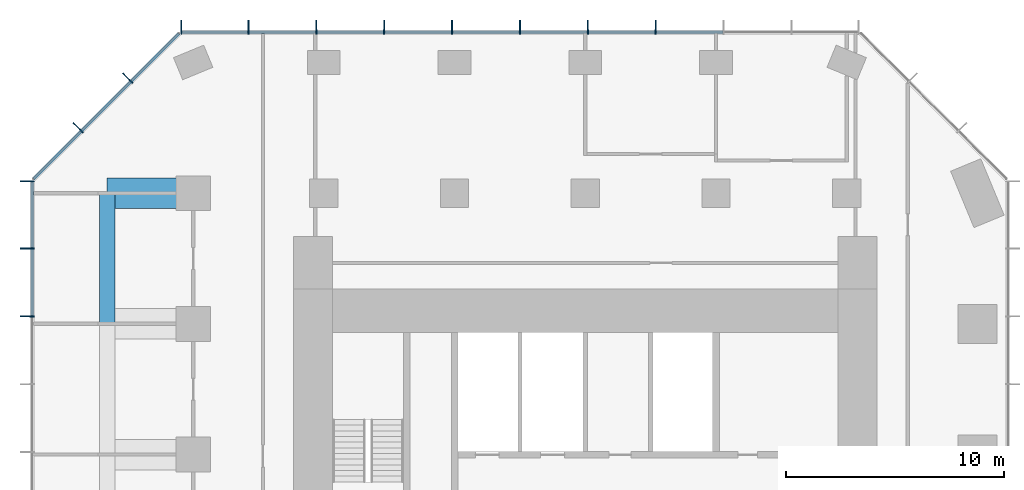
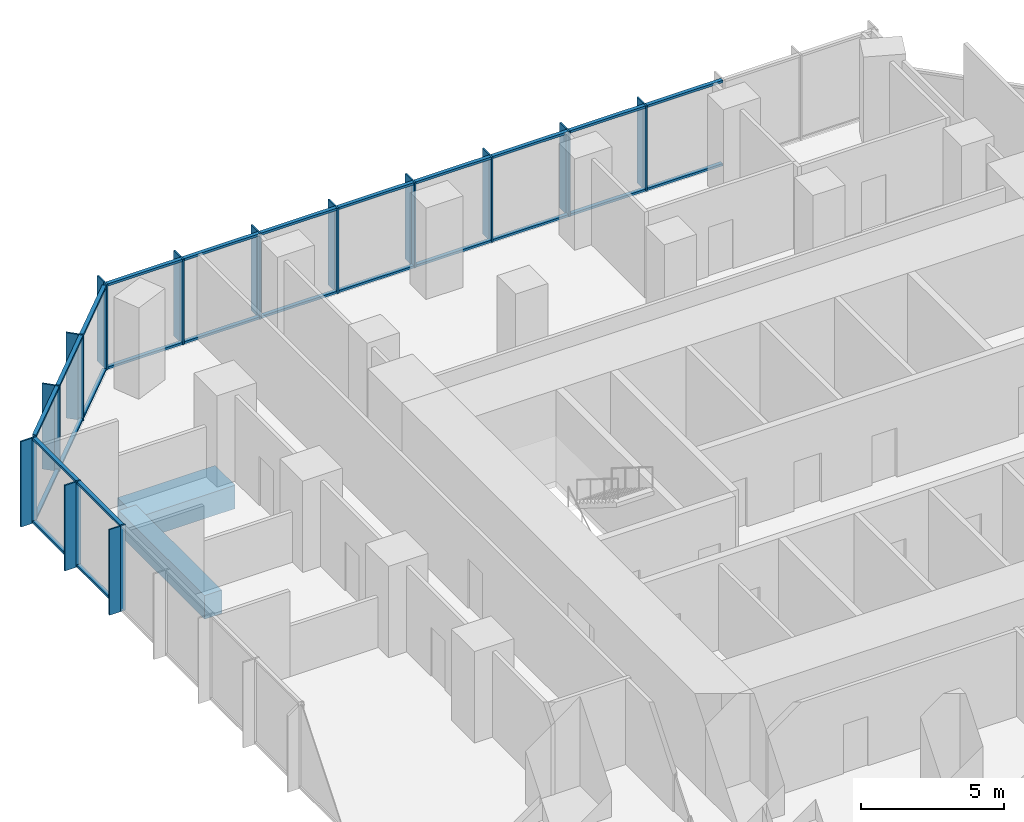
# One storey, part 5 of 11: 52 members, 2 beams, 3 elements without a shape of their own.
"""IFC4 building model written with IfcOpenShell, lengths in metres."""

from ifc_helpers import new_model, si_unit, direction, frame, origin, origin_2d, place, context, subcontext, project, spatial, rectangle, extrude, material, layer, layer_set, material_profile, profile_set, type_object, element, aggregate, save


model = new_model("IFC4")

# Units and contexts
model_context = context("Model", 3, precision=1e-05, world=origin(), true_north=direction((0.0, 1.0)))
body_context = subcontext(model_context, "Body", "Model", "MODEL_VIEW")
ifc_project = project(units=[si_unit("LENGTHUNIT", "METRE"), si_unit("AREAUNIT", "SQUARE_METRE"), si_unit("VOLUMEUNIT", "CUBIC_METRE"), si_unit("PLANEANGLEUNIT", "RADIAN"), si_unit("MASSUNIT", "GRAM", prefix="KILO")], contexts=[model_context])

# Site, building, storey
site_placement = place(None, origin())
site = spatial("IfcSite", under=ifc_project, at=site_placement, CompositionType="ELEMENT")
building_placement = place(site_placement, origin())
building = spatial("IfcBuilding", under=site, at=building_placement, Name="Highveld Stack Headquarters", CompositionType="ELEMENT")
storey_placement = place(building_placement, frame((0.0, 0.0, 235.699951171875)))
storey = spatial("IfcBuildingStorey", under=building, at=storey_placement, Name="L58", CompositionType="ELEMENT", Elevation=235.699951171875)

# Beam
ifc_material_1 = material(Name="Concrete C60/75", Category="concrete")
ifc_material_profile_1 = material_profile(ifc_material_1, rectangle(XDim=1.39990234375, YDim=1.0, at=origin_2d()), Name="RC 1400x1000")
ifc_profile_set_1 = profile_set([ifc_material_profile_1], Name="Concrete C60/75")
beam_type_1 = type_object("IfcBeamType", Name="CANTILEVER RIB RC 1400x1000", PredefinedType="USERDEFINED", material=ifc_profile_set_1)
beam_1_placement = place(storey_placement, frame((-12.0, 18.0, -0.75), z_axis=(-1.0, 0.0, 0.0), x_axis=(0.0, -1.0, 0.0)))
element("IfcBeam", 1, at=beam_1_placement, inside=storey, type_object=beam_type_1, Name="Cantilever rib 4/H L58", ObjectType="CANTILEVER RIB", PredefinedType="USERDEFINED", context=body_context, shape_type="SweptSolid", body=[
    extrude(rectangle(XDim=1.39990234375, YDim=1.0, at=origin_2d()), origin(), (0.0, 0.0, 1.0), 3.949951171875),
])

# Curtain wall, members
ifc_material_2 = material(Name="Aluminium bronze anodised", Category="aluminium")
ifc_layer_1 = layer(ifc_material_2, 0.199951171875)
ifc_layer_set_1 = layer_set([ifc_layer_1], Name="Aluminium bronze anodised")
curtain_wall_type_1 = type_object("IfcCurtainWallType", Name="CW1 TOWER UNITISED CURTAIN WALL", PredefinedType="NOTDEFINED", material=ifc_layer_set_1)
curtain_wall_1_placement = place(storey_placement, origin())
curtain_wall_1 = element("IfcCurtainWall", 2, at=curtain_wall_1_placement, inside=storey, type_object=curtain_wall_type_1, Name="Curtain wall CW1 L58 N", PredefinedType="NOTDEFINED")
ifc_material_3 = material(Name="Aluminium bronze anodised", Category="aluminium")
ifc_material_profile_2 = material_profile(ifc_material_3, rectangle(XDim=0.449951171875, YDim=0.06005859375, at=origin_2d()), Name="FIN 450x60")
ifc_profile_set_2 = profile_set([ifc_material_profile_2], Name="Aluminium bronze anodised")
member_type_1 = type_object("IfcMemberType", Name="CW1 BRONZE FIN 450x60", PredefinedType="USERDEFINED", material=ifc_profile_set_2)
member_1_placement = place(storey_placement, frame((9.23193359375, 25.72509765625, 0.0), z_axis=(0.0, 0.0, 1.0), x_axis=(0.0, -1.0, 0.0)))
member_1 = element("IfcMember", 3, at=member_1_placement, type_object=member_type_1, Name="CW1 fin L58 4", ObjectType="FIN", PredefinedType="USERDEFINED", context=body_context, shape_type="SweptSolid", body=[
    extrude(rectangle(XDim=0.449951171875, YDim=0.06005859375, at=origin_2d()), origin(), (0.0, 0.0, 1.0), 3.650146484375),
])
member_2_placement = place(storey_placement, frame((6.115966796875, 25.72509765625, 0.0), z_axis=(0.0, 0.0, 1.0), x_axis=(0.0, -1.0, 0.0)))
member_2 = element("IfcMember", 4, at=member_2_placement, type_object=member_type_1, Name="CW1 fin L58 5", ObjectType="FIN", PredefinedType="USERDEFINED", context=body_context, shape_type="SweptSolid", body=[
    extrude(rectangle(XDim=0.449951171875, YDim=0.06005859375, at=origin_2d()), origin(), (0.0, 0.0, 1.0), 3.650146484375),
])
member_3_placement = place(storey_placement, frame((3.0, 25.72509765625, 0.0), z_axis=(0.0, 0.0, 1.0), x_axis=(0.0, -1.0, 0.0)))
member_3 = element("IfcMember", 5, at=member_3_placement, type_object=member_type_1, Name="CW1 fin L58 6", ObjectType="FIN", PredefinedType="USERDEFINED", context=body_context, shape_type="SweptSolid", body=[
    extrude(rectangle(XDim=0.449951171875, YDim=0.06005859375, at=origin_2d()), origin(), (0.0, 0.0, 1.0), 3.650146484375),
])
member_4_placement = place(storey_placement, frame((-0.115966796875, 25.72509765625, 0.0), z_axis=(0.0, 0.0, 1.0), x_axis=(0.0, -1.0, 0.0)))
member_4 = element("IfcMember", 6, at=member_4_placement, type_object=member_type_1, Name="CW1 fin L58 7", ObjectType="FIN", PredefinedType="USERDEFINED", context=body_context, shape_type="SweptSolid", body=[
    extrude(rectangle(XDim=0.449951171875, YDim=0.06005859375, at=origin_2d()), origin(), (0.0, 0.0, 1.0), 3.650146484375),
])
member_5_placement = place(storey_placement, frame((-3.23193359375, 25.72509765625, 0.0), z_axis=(0.0, 0.0, 1.0), x_axis=(0.0, -1.0, 0.0)))
member_5 = element("IfcMember", 7, at=member_5_placement, type_object=member_type_1, Name="CW1 fin L58 8", ObjectType="FIN", PredefinedType="USERDEFINED", context=body_context, shape_type="SweptSolid", body=[
    extrude(rectangle(XDim=0.449951171875, YDim=0.06005859375, at=origin_2d()), origin(), (0.0, 0.0, 1.0), 3.650146484375),
])
member_6_placement = place(storey_placement, frame((-6.347900390625, 25.72509765625, 0.0), z_axis=(0.0, 0.0, 1.0), x_axis=(0.0, -1.0, 0.0)))
member_6 = element("IfcMember", 8, at=member_6_placement, type_object=member_type_1, Name="CW1 fin L58 9", ObjectType="FIN", PredefinedType="USERDEFINED", context=body_context, shape_type="SweptSolid", body=[
    extrude(rectangle(XDim=0.449951171875, YDim=0.06005859375, at=origin_2d()), origin(), (0.0, 0.0, 1.0), 3.650146484375),
])
member_7_placement = place(storey_placement, frame((-9.4638671875, 25.72509765625, 0.0), z_axis=(0.0, 0.0, 1.0), x_axis=(0.0, -1.0, 0.0)))
member_7 = element("IfcMember", 9, at=member_7_placement, type_object=member_type_1, Name="CW1 fin L58 10", ObjectType="FIN", PredefinedType="USERDEFINED", context=body_context, shape_type="SweptSolid", body=[
    extrude(rectangle(XDim=0.449951171875, YDim=0.06005859375, at=origin_2d()), origin(), (0.0, 0.0, 1.0), 3.650146484375),
])
member_8_placement = place(storey_placement, frame((-12.54736328125, 25.72509765625, 0.0), z_axis=(0.0, 0.0, 1.0), x_axis=(0.0, -1.0, 0.0)))
member_8 = element("IfcMember", 10, at=member_8_placement, type_object=member_type_1, Name="CW1 fin L58 11", ObjectType="FIN", PredefinedType="USERDEFINED", context=body_context, shape_type="SweptSolid", body=[
    extrude(rectangle(XDim=0.449951171875, YDim=0.06005859375, at=origin_2d()), origin(), (0.0, 0.0, 1.0), 3.650146484375),
])

curtain_wall_2_placement = place(storey_placement, origin())
curtain_wall_2 = element("IfcCurtainWall", 11, at=curtain_wall_2_placement, inside=storey, type_object=curtain_wall_type_1, Name="Curtain wall CW1 L58 W", PredefinedType="NOTDEFINED")
member_9_placement = place(storey_placement, frame((-19.72509765625, 18.54736328125, 0.0), z_axis=(0.0, 0.0, 1.0), x_axis=(1.0, 0.0, 0.0)))
member_9 = element("IfcMember", 12, at=member_9_placement, type_object=member_type_1, Name="CW1 fin L58 1", ObjectType="FIN", PredefinedType="USERDEFINED", context=body_context, shape_type="SweptSolid", body=[
    extrude(rectangle(XDim=0.449951171875, YDim=0.06005859375, at=origin_2d()), origin(), (0.0, 0.0, 1.0), 3.650146484375),
])
member_10_placement = place(storey_placement, frame((-19.72509765625, 15.4638671875, 0.0), z_axis=(0.0, 0.0, 1.0), x_axis=(1.0, 0.0, 0.0)))
member_10 = element("IfcMember", 13, at=member_10_placement, type_object=member_type_1, Name="CW1 fin L58 2", ObjectType="FIN", PredefinedType="USERDEFINED", context=body_context, shape_type="SweptSolid", body=[
    extrude(rectangle(XDim=0.449951171875, YDim=0.06005859375, at=origin_2d()), origin(), (0.0, 0.0, 1.0), 3.650146484375),
])
member_11_placement = place(storey_placement, frame((-19.72509765625, 12.347900390625, 0.0), z_axis=(0.0, 0.0, 1.0), x_axis=(1.0, 0.0, 0.0)))
member_11 = element("IfcMember", 14, at=member_11_placement, type_object=member_type_1, Name="CW1 fin L58 3", ObjectType="FIN", PredefinedType="USERDEFINED", context=body_context, shape_type="SweptSolid", body=[
    extrude(rectangle(XDim=0.449951171875, YDim=0.06005859375, at=origin_2d()), origin(), (0.0, 0.0, 1.0), 3.650146484375),
])

# Member
ifc_material_4 = material(Name="Aluminium bronze anodised", Category="aluminium")
ifc_material_profile_3 = material_profile(ifc_material_4, rectangle(XDim=0.199951171875, YDim=0.06494140625, at=origin_2d()), Name="CW1 MULLION 65x200")
ifc_profile_set_3 = profile_set([ifc_material_profile_3], Name="Aluminium bronze anodised")
member_type_2 = type_object("IfcMemberType", Name="CW1 MULLION 65x200", PredefinedType="MULLION", material=ifc_profile_set_3)
member_12_placement = place(storey_placement, frame((9.23193359375, 25.39990234375, 0.0), z_axis=(0.0, 0.0, 1.0), x_axis=(0.0, -1.0, 0.0)))
member_12 = element("IfcMember", 15, at=member_12_placement, type_object=member_type_2, Name="CW1 mullion L58 4", PredefinedType="MULLION", context=body_context, shape_type="SweptSolid", body=[
    extrude(rectangle(XDim=0.199951171875, YDim=0.06494140625, at=origin_2d()), origin(), (0.0, 0.0, 1.0), 3.650146484375),
])

member_13_placement = place(storey_placement, frame((6.115966796875, 25.39990234375, 0.0), z_axis=(0.0, 0.0, 1.0), x_axis=(0.0, -1.0, 0.0)))
member_13 = element("IfcMember", 16, at=member_13_placement, type_object=member_type_2, Name="CW1 mullion L58 5", PredefinedType="MULLION", context=body_context, shape_type="SweptSolid", body=[
    extrude(rectangle(XDim=0.199951171875, YDim=0.06494140625, at=origin_2d()), origin(), (0.0, 0.0, 1.0), 3.650146484375),
])

member_14_placement = place(storey_placement, frame((3.0, 25.39990234375, 0.0), z_axis=(0.0, 0.0, 1.0), x_axis=(0.0, -1.0, 0.0)))
member_14 = element("IfcMember", 17, at=member_14_placement, type_object=member_type_2, Name="CW1 mullion L58 6", PredefinedType="MULLION", context=body_context, shape_type="SweptSolid", body=[
    extrude(rectangle(XDim=0.199951171875, YDim=0.06494140625, at=origin_2d()), origin(), (0.0, 0.0, 1.0), 3.650146484375),
])

member_15_placement = place(storey_placement, frame((-0.115966796875, 25.39990234375, 0.0), z_axis=(0.0, 0.0, 1.0), x_axis=(0.0, -1.0, 0.0)))
member_15 = element("IfcMember", 18, at=member_15_placement, type_object=member_type_2, Name="CW1 mullion L58 7", PredefinedType="MULLION", context=body_context, shape_type="SweptSolid", body=[
    extrude(rectangle(XDim=0.199951171875, YDim=0.06494140625, at=origin_2d()), origin(), (0.0, 0.0, 1.0), 3.650146484375),
])

member_16_placement = place(storey_placement, frame((-3.23193359375, 25.39990234375, 0.0), z_axis=(0.0, 0.0, 1.0), x_axis=(0.0, -1.0, 0.0)))
member_16 = element("IfcMember", 19, at=member_16_placement, type_object=member_type_2, Name="CW1 mullion L58 8", PredefinedType="MULLION", context=body_context, shape_type="SweptSolid", body=[
    extrude(rectangle(XDim=0.199951171875, YDim=0.06494140625, at=origin_2d()), origin(), (0.0, 0.0, 1.0), 3.650146484375),
])

member_17_placement = place(storey_placement, frame((-6.347900390625, 25.39990234375, 0.0), z_axis=(0.0, 0.0, 1.0), x_axis=(0.0, -1.0, 0.0)))
member_17 = element("IfcMember", 20, at=member_17_placement, type_object=member_type_2, Name="CW1 mullion L58 9", PredefinedType="MULLION", context=body_context, shape_type="SweptSolid", body=[
    extrude(rectangle(XDim=0.199951171875, YDim=0.06494140625, at=origin_2d()), origin(), (0.0, 0.0, 1.0), 3.650146484375),
])

member_18_placement = place(storey_placement, frame((-9.4638671875, 25.39990234375, 0.0), z_axis=(0.0, 0.0, 1.0), x_axis=(0.0, -1.0, 0.0)))
member_18 = element("IfcMember", 21, at=member_18_placement, type_object=member_type_2, Name="CW1 mullion L58 10", PredefinedType="MULLION", context=body_context, shape_type="SweptSolid", body=[
    extrude(rectangle(XDim=0.199951171875, YDim=0.06494140625, at=origin_2d()), origin(), (0.0, 0.0, 1.0), 3.650146484375),
])

member_19_placement = place(storey_placement, frame((-12.54736328125, 25.39990234375, 0.0), z_axis=(0.0, 0.0, 1.0), x_axis=(0.0, -1.0, 0.0)))
member_19 = element("IfcMember", 22, at=member_19_placement, type_object=member_type_2, Name="CW1 mullion L58 11", PredefinedType="MULLION", context=body_context, shape_type="SweptSolid", body=[
    extrude(rectangle(XDim=0.199951171875, YDim=0.06494140625, at=origin_2d()), origin(), (0.0, 0.0, 1.0), 3.650146484375),
])

member_20_placement = place(storey_placement, frame((-19.39990234375, 18.54736328125, 0.0), z_axis=(0.0, 0.0, 1.0), x_axis=(1.0, 0.0, 0.0)))
member_20 = element("IfcMember", 23, at=member_20_placement, type_object=member_type_2, Name="CW1 mullion L58 1", PredefinedType="MULLION", context=body_context, shape_type="SweptSolid", body=[
    extrude(rectangle(XDim=0.199951171875, YDim=0.06494140625, at=origin_2d()), origin(), (0.0, 0.0, 1.0), 3.650146484375),
])

member_21_placement = place(storey_placement, frame((-19.39990234375, 15.4638671875, 0.0), z_axis=(0.0, 0.0, 1.0), x_axis=(1.0, 0.0, 0.0)))
member_21 = element("IfcMember", 24, at=member_21_placement, type_object=member_type_2, Name="CW1 mullion L58 2", PredefinedType="MULLION", context=body_context, shape_type="SweptSolid", body=[
    extrude(rectangle(XDim=0.199951171875, YDim=0.06494140625, at=origin_2d()), origin(), (0.0, 0.0, 1.0), 3.650146484375),
])

member_22_placement = place(storey_placement, frame((-19.39990234375, 12.347900390625, 0.0), z_axis=(0.0, 0.0, 1.0), x_axis=(1.0, 0.0, 0.0)))
member_22 = element("IfcMember", 25, at=member_22_placement, type_object=member_type_2, Name="CW1 mullion L58 3", PredefinedType="MULLION", context=body_context, shape_type="SweptSolid", body=[
    extrude(rectangle(XDim=0.199951171875, YDim=0.06494140625, at=origin_2d()), origin(), (0.0, 0.0, 1.0), 3.650146484375),
])

ifc_material_5 = material(Name="Aluminium bronze anodised", Category="aluminium")
ifc_material_profile_4 = material_profile(ifc_material_5, rectangle(XDim=0.14990234375, YDim=0.10009765625, at=origin_2d()), Name="CW1 TRANSOM 150x100")
ifc_profile_set_4 = profile_set([ifc_material_profile_4], Name="Aluminium bronze anodised")
member_type_3 = type_object("IfcMemberType", Name="CW1 STACK TRANSOM 150x100", PredefinedType="USERDEFINED", material=ifc_profile_set_4)
member_23_placement = place(storey_placement, frame((12.3154296875, 25.39990234375, 0.050048828125), z_axis=(-1.0, 0.0, 0.0), x_axis=(0.0, -1.0, 0.0)))
member_23 = element("IfcMember", 26, at=member_23_placement, type_object=member_type_3, Name="CW1 transom L58 3.1", ObjectType="TRANSOM", PredefinedType="USERDEFINED", context=body_context, shape_type="SweptSolid", body=[
    extrude(rectangle(XDim=0.14990234375, YDim=0.10009765625, at=origin_2d()), origin(), (0.0, 0.0, 1.0), 3.051025390625),
])

member_24_placement = place(storey_placement, frame((12.3154296875, 25.39990234375, 3.60009765625), z_axis=(-1.0, 0.0, 0.0), x_axis=(0.0, -1.0, 0.0)))
member_24 = element("IfcMember", 27, at=member_24_placement, type_object=member_type_3, Name="CW1 transom L58 3.2", ObjectType="TRANSOM", PredefinedType="USERDEFINED", context=body_context, shape_type="SweptSolid", body=[
    extrude(rectangle(XDim=0.14990234375, YDim=0.10009765625, at=origin_2d()), origin(), (0.0, 0.0, 1.0), 3.051025390625),
])

member_25_placement = place(storey_placement, frame((9.199462890625, 25.39990234375, 0.050048828125), z_axis=(-1.0, 0.0, 0.0), x_axis=(0.0, -1.0, 0.0)))
member_25 = element("IfcMember", 28, at=member_25_placement, type_object=member_type_3, Name="CW1 transom L58 4.1", ObjectType="TRANSOM", PredefinedType="USERDEFINED", context=body_context, shape_type="SweptSolid", body=[
    extrude(rectangle(XDim=0.14990234375, YDim=0.10009765625, at=origin_2d()), origin(), (0.0, 0.0, 1.0), 3.051025390625),
])

member_26_placement = place(storey_placement, frame((9.199462890625, 25.39990234375, 3.60009765625), z_axis=(-1.0, 0.0, 0.0), x_axis=(0.0, -1.0, 0.0)))
member_26 = element("IfcMember", 29, at=member_26_placement, type_object=member_type_3, Name="CW1 transom L58 4.2", ObjectType="TRANSOM", PredefinedType="USERDEFINED", context=body_context, shape_type="SweptSolid", body=[
    extrude(rectangle(XDim=0.14990234375, YDim=0.10009765625, at=origin_2d()), origin(), (0.0, 0.0, 1.0), 3.051025390625),
])

member_27_placement = place(storey_placement, frame((6.08349609375, 25.39990234375, 0.050048828125), z_axis=(-1.0, 0.0, 0.0), x_axis=(0.0, -1.0, 0.0)))
member_27 = element("IfcMember", 30, at=member_27_placement, type_object=member_type_3, Name="CW1 transom L58 5.1", ObjectType="TRANSOM", PredefinedType="USERDEFINED", context=body_context, shape_type="SweptSolid", body=[
    extrude(rectangle(XDim=0.14990234375, YDim=0.10009765625, at=origin_2d()), origin(), (0.0, 0.0, 1.0), 3.051025390625),
])

member_28_placement = place(storey_placement, frame((6.08349609375, 25.39990234375, 3.60009765625), z_axis=(-1.0, 0.0, 0.0), x_axis=(0.0, -1.0, 0.0)))
member_28 = element("IfcMember", 31, at=member_28_placement, type_object=member_type_3, Name="CW1 transom L58 5.2", ObjectType="TRANSOM", PredefinedType="USERDEFINED", context=body_context, shape_type="SweptSolid", body=[
    extrude(rectangle(XDim=0.14990234375, YDim=0.10009765625, at=origin_2d()), origin(), (0.0, 0.0, 1.0), 3.051025390625),
])

member_29_placement = place(storey_placement, frame((2.967529296875, 25.39990234375, 0.050048828125), z_axis=(-1.0, 0.0, 0.0), x_axis=(0.0, -1.0, 0.0)))
member_29 = element("IfcMember", 32, at=member_29_placement, type_object=member_type_3, Name="CW1 transom L58 6.1", ObjectType="TRANSOM", PredefinedType="USERDEFINED", context=body_context, shape_type="SweptSolid", body=[
    extrude(rectangle(XDim=0.14990234375, YDim=0.10009765625, at=origin_2d()), origin(), (0.0, 0.0, 1.0), 3.051025390625),
])

member_30_placement = place(storey_placement, frame((2.967529296875, 25.39990234375, 3.60009765625), z_axis=(-1.0, 0.0, 0.0), x_axis=(0.0, -1.0, 0.0)))
member_30 = element("IfcMember", 33, at=member_30_placement, type_object=member_type_3, Name="CW1 transom L58 6.2", ObjectType="TRANSOM", PredefinedType="USERDEFINED", context=body_context, shape_type="SweptSolid", body=[
    extrude(rectangle(XDim=0.14990234375, YDim=0.10009765625, at=origin_2d()), origin(), (0.0, 0.0, 1.0), 3.051025390625),
])

member_31_placement = place(storey_placement, frame((-0.1484375, 25.39990234375, 0.050048828125), z_axis=(-1.0, 0.0, 0.0), x_axis=(0.0, -1.0, 0.0)))
member_31 = element("IfcMember", 34, at=member_31_placement, type_object=member_type_3, Name="CW1 transom L58 7.1", ObjectType="TRANSOM", PredefinedType="USERDEFINED", context=body_context, shape_type="SweptSolid", body=[
    extrude(rectangle(XDim=0.14990234375, YDim=0.10009765625, at=origin_2d()), origin(), (0.0, 0.0, 1.0), 3.051025390625),
])

member_32_placement = place(storey_placement, frame((-0.1484375, 25.39990234375, 3.60009765625), z_axis=(-1.0, 0.0, 0.0), x_axis=(0.0, -1.0, 0.0)))
member_32 = element("IfcMember", 35, at=member_32_placement, type_object=member_type_3, Name="CW1 transom L58 7.2", ObjectType="TRANSOM", PredefinedType="USERDEFINED", context=body_context, shape_type="SweptSolid", body=[
    extrude(rectangle(XDim=0.14990234375, YDim=0.10009765625, at=origin_2d()), origin(), (0.0, 0.0, 1.0), 3.051025390625),
])

member_33_placement = place(storey_placement, frame((-3.264404296875, 25.39990234375, 0.050048828125), z_axis=(-1.0, 0.0, 0.0), x_axis=(0.0, -1.0, 0.0)))
member_33 = element("IfcMember", 36, at=member_33_placement, type_object=member_type_3, Name="CW1 transom L58 8.1", ObjectType="TRANSOM", PredefinedType="USERDEFINED", context=body_context, shape_type="SweptSolid", body=[
    extrude(rectangle(XDim=0.14990234375, YDim=0.10009765625, at=origin_2d()), origin(), (0.0, 0.0, 1.0), 3.051025390625),
])

member_34_placement = place(storey_placement, frame((-3.264404296875, 25.39990234375, 3.60009765625), z_axis=(-1.0, 0.0, 0.0), x_axis=(0.0, -1.0, 0.0)))
member_34 = element("IfcMember", 37, at=member_34_placement, type_object=member_type_3, Name="CW1 transom L58 8.2", ObjectType="TRANSOM", PredefinedType="USERDEFINED", context=body_context, shape_type="SweptSolid", body=[
    extrude(rectangle(XDim=0.14990234375, YDim=0.10009765625, at=origin_2d()), origin(), (0.0, 0.0, 1.0), 3.051025390625),
])

member_35_placement = place(storey_placement, frame((-6.38037109375, 25.39990234375, 0.050048828125), z_axis=(-1.0, 0.0, 0.0), x_axis=(0.0, -1.0, 0.0)))
member_35 = element("IfcMember", 38, at=member_35_placement, type_object=member_type_3, Name="CW1 transom L58 9.1", ObjectType="TRANSOM", PredefinedType="USERDEFINED", context=body_context, shape_type="SweptSolid", body=[
    extrude(rectangle(XDim=0.14990234375, YDim=0.10009765625, at=origin_2d()), origin(), (0.0, 0.0, 1.0), 3.051025390625),
])

member_36_placement = place(storey_placement, frame((-6.38037109375, 25.39990234375, 3.60009765625), z_axis=(-1.0, 0.0, 0.0), x_axis=(0.0, -1.0, 0.0)))
member_36 = element("IfcMember", 39, at=member_36_placement, type_object=member_type_3, Name="CW1 transom L58 9.2", ObjectType="TRANSOM", PredefinedType="USERDEFINED", context=body_context, shape_type="SweptSolid", body=[
    extrude(rectangle(XDim=0.14990234375, YDim=0.10009765625, at=origin_2d()), origin(), (0.0, 0.0, 1.0), 3.051025390625),
])

member_37_placement = place(storey_placement, frame((-9.496337890625, 25.39990234375, 0.050048828125), z_axis=(-1.0, 0.0, 0.0), x_axis=(0.0, -1.0, 0.0)))
member_37 = element("IfcMember", 40, at=member_37_placement, type_object=member_type_3, Name="CW1 transom L58 10.1", ObjectType="TRANSOM", PredefinedType="USERDEFINED", context=body_context, shape_type="SweptSolid", body=[
    extrude(rectangle(XDim=0.14990234375, YDim=0.10009765625, at=origin_2d()), origin(), (0.0, 0.0, 1.0), 3.0185546875),
])

member_38_placement = place(storey_placement, frame((-9.496337890625, 25.39990234375, 3.60009765625), z_axis=(-1.0, 0.0, 0.0), x_axis=(0.0, -1.0, 0.0)))
member_38 = element("IfcMember", 41, at=member_38_placement, type_object=member_type_3, Name="CW1 transom L58 10.2", ObjectType="TRANSOM", PredefinedType="USERDEFINED", context=body_context, shape_type="SweptSolid", body=[
    extrude(rectangle(XDim=0.14990234375, YDim=0.10009765625, at=origin_2d()), origin(), (0.0, 0.0, 1.0), 3.0185546875),
])

aggregate(curtain_wall_1, [member_12, member_1, member_13, member_2, member_14, member_3, member_15, member_4, member_16, member_5, member_17, member_6, member_18, member_7, member_19, member_8, member_23, member_24, member_25, member_26, member_27, member_28, member_29, member_30, member_31, member_32, member_33, member_34, member_35, member_36, member_37, member_38])

member_39_placement = place(storey_placement, frame((-19.39990234375, 18.514892578125, 0.050048828125), z_axis=(0.0, -1.0, 0.0), x_axis=(1.0, 0.0, 0.0)))
member_39 = element("IfcMember", 42, at=member_39_placement, type_object=member_type_3, Name="CW1 transom L58 1.1", ObjectType="TRANSOM", PredefinedType="USERDEFINED", context=body_context, shape_type="SweptSolid", body=[
    extrude(rectangle(XDim=0.14990234375, YDim=0.10009765625, at=origin_2d()), origin(), (0.0, 0.0, 1.0), 3.0185546875),
])

member_40_placement = place(storey_placement, frame((-19.39990234375, 18.514892578125, 3.60009765625), z_axis=(0.0, -1.0, 0.0), x_axis=(1.0, 0.0, 0.0)))
member_40 = element("IfcMember", 43, at=member_40_placement, type_object=member_type_3, Name="CW1 transom L58 1.2", ObjectType="TRANSOM", PredefinedType="USERDEFINED", context=body_context, shape_type="SweptSolid", body=[
    extrude(rectangle(XDim=0.14990234375, YDim=0.10009765625, at=origin_2d()), origin(), (0.0, 0.0, 1.0), 3.0185546875),
])

member_41_placement = place(storey_placement, frame((-19.39990234375, 15.431396484375, 0.050048828125), z_axis=(0.0, -1.0, 0.0), x_axis=(1.0, 0.0, 0.0)))
member_41 = element("IfcMember", 44, at=member_41_placement, type_object=member_type_3, Name="CW1 transom L58 2.1", ObjectType="TRANSOM", PredefinedType="USERDEFINED", context=body_context, shape_type="SweptSolid", body=[
    extrude(rectangle(XDim=0.14990234375, YDim=0.10009765625, at=origin_2d()), origin(), (0.0, 0.0, 1.0), 3.051025390625),
])

member_42_placement = place(storey_placement, frame((-19.39990234375, 15.431396484375, 3.60009765625), z_axis=(0.0, -1.0, 0.0), x_axis=(1.0, 0.0, 0.0)))
member_42 = element("IfcMember", 45, at=member_42_placement, type_object=member_type_3, Name="CW1 transom L58 2.2", ObjectType="TRANSOM", PredefinedType="USERDEFINED", context=body_context, shape_type="SweptSolid", body=[
    extrude(rectangle(XDim=0.14990234375, YDim=0.10009765625, at=origin_2d()), origin(), (0.0, 0.0, 1.0), 3.051025390625),
])

aggregate(curtain_wall_2, [member_20, member_9, member_21, member_10, member_22, member_11, member_39, member_40, member_41, member_42])

# Curtain wall, members
ifc_material_6 = material(Name="Aluminium bronze anodised", Category="aluminium")
ifc_layer_2 = layer(ifc_material_6, 0.199951171875)
ifc_layer_set_2 = layer_set([ifc_layer_2], Name="Aluminium bronze anodised")
curtain_wall_type_2 = type_object("IfcCurtainWallType", Name="CW2 TOWER CHAMFER UNITISED CURTAIN WALL", PredefinedType="NOTDEFINED", material=ifc_layer_set_2)
curtain_wall_3_placement = place(storey_placement, origin())
curtain_wall_3 = element("IfcCurtainWall", 46, at=curtain_wall_3_placement, inside=storey, type_object=curtain_wall_type_2, Name="Curtain wall CW2 L58 NW", PredefinedType="NOTDEFINED")
ifc_material_7 = material(Name="Aluminium bronze anodised", Category="aluminium")
ifc_material_profile_5 = material_profile(ifc_material_7, rectangle(XDim=0.449951171875, YDim=0.06005859375, at=origin_2d()), Name="FIN 450x60")
ifc_profile_set_5 = profile_set([ifc_material_profile_5], Name="Aluminium bronze anodised")
member_type_4 = type_object("IfcMemberType", Name="CW2 BRONZE FIN 450x60", PredefinedType="USERDEFINED", material=ifc_profile_set_5)
member_43_placement = place(storey_placement, frame((-15.0830078125, 23.3564453125, 0.0), z_axis=(0.0, 0.0, 1.0), x_axis=(0.707106781187, -0.707106781187, 0.0)))
member_43 = element("IfcMember", 47, at=member_43_placement, type_object=member_type_4, Name="CW2 fin L58 1", ObjectType="FIN", PredefinedType="USERDEFINED", context=body_context, shape_type="SweptSolid", body=[
    extrude(rectangle(XDim=0.449951171875, YDim=0.06005859375, at=origin_2d()), origin(), (0.0, 0.0, 1.0), 3.650146484375),
])
member_44_placement = place(storey_placement, frame((-17.3564453125, 21.0830078125, 0.0), z_axis=(0.0, 0.0, 1.0), x_axis=(0.707106781187, -0.707106781187, 0.0)))
member_44 = element("IfcMember", 48, at=member_44_placement, type_object=member_type_4, Name="CW2 fin L58 2", ObjectType="FIN", PredefinedType="USERDEFINED", context=body_context, shape_type="SweptSolid", body=[
    extrude(rectangle(XDim=0.449951171875, YDim=0.06005859375, at=origin_2d()), origin(), (0.0, 0.0, 1.0), 3.650146484375),
])
ifc_material_8 = material(Name="Aluminium bronze anodised", Category="aluminium")
ifc_material_profile_6 = material_profile(ifc_material_8, rectangle(XDim=0.199951171875, YDim=0.06494140625, at=origin_2d()), Name="CW2 MULLION 65x200")
ifc_profile_set_6 = profile_set([ifc_material_profile_6], Name="Aluminium bronze anodised")
member_type_5 = type_object("IfcMemberType", Name="CW2 MULLION 65x200", PredefinedType="MULLION", material=ifc_profile_set_6)
member_45_placement = place(storey_placement, frame((-14.853271484375, 23.126708984375, 0.0), z_axis=(0.0, 0.0, 1.0), x_axis=(0.707106781187, -0.707106781187, 0.0)))
member_45 = element("IfcMember", 49, at=member_45_placement, type_object=member_type_5, Name="CW2 mullion L58 1", PredefinedType="MULLION", context=body_context, shape_type="SweptSolid", body=[
    extrude(rectangle(XDim=0.199951171875, YDim=0.06494140625, at=origin_2d()), origin(), (0.0, 0.0, 1.0), 3.650146484375),
])
member_46_placement = place(storey_placement, frame((-17.126708984375, 20.853271484375, 0.0), z_axis=(0.0, 0.0, 1.0), x_axis=(0.707106781187, -0.707106781187, 0.0)))
member_46 = element("IfcMember", 50, at=member_46_placement, type_object=member_type_5, Name="CW2 mullion L58 2", PredefinedType="MULLION", context=body_context, shape_type="SweptSolid", body=[
    extrude(rectangle(XDim=0.199951171875, YDim=0.06494140625, at=origin_2d()), origin(), (0.0, 0.0, 1.0), 3.650146484375),
])
ifc_material_9 = material(Name="Aluminium bronze anodised", Category="aluminium")
ifc_material_profile_7 = material_profile(ifc_material_9, rectangle(XDim=0.14990234375, YDim=0.10009765625, at=origin_2d()), Name="CW2 TRANSOM 150x100")
ifc_profile_set_7 = profile_set([ifc_material_profile_7], Name="Aluminium bronze anodised")
member_type_6 = type_object("IfcMemberType", Name="CW2 STACK TRANSOM 150x100", PredefinedType="USERDEFINED", material=ifc_profile_set_7)
member_47_placement = place(storey_placement, frame((-12.650634765625, 25.329345703125, 0.050048828125), z_axis=(-0.707106781187, -0.707106781187, 0.0), x_axis=(0.707106781187, -0.707106781187, 0.0)))
member_47 = element("IfcMember", 51, at=member_47_placement, type_object=member_type_6, Name="CW2 transom L58 1.1", ObjectType="TRANSOM", PredefinedType="USERDEFINED", context=body_context, shape_type="SweptSolid", body=[
    extrude(rectangle(XDim=0.14990234375, YDim=0.10009765625, at=origin_2d()), origin(), (0.0, 0.0, 1.0), 3.08251953125),
])
member_48_placement = place(storey_placement, frame((-12.650634765625, 25.329345703125, 3.60009765625), z_axis=(-0.707106781187, -0.707106781187, 0.0), x_axis=(0.707106781187, -0.707106781187, 0.0)))
member_48 = element("IfcMember", 52, at=member_48_placement, type_object=member_type_6, Name="CW2 transom L58 1.2", ObjectType="TRANSOM", PredefinedType="USERDEFINED", context=body_context, shape_type="SweptSolid", body=[
    extrude(rectangle(XDim=0.14990234375, YDim=0.10009765625, at=origin_2d()), origin(), (0.0, 0.0, 1.0), 3.08251953125),
])
member_49_placement = place(storey_placement, frame((-14.876220703125, 23.103759765625, 0.050048828125), z_axis=(-0.707106781187, -0.707106781187, 0.0), x_axis=(0.707106781187, -0.707106781187, 0.0)))
member_49 = element("IfcMember", 53, at=member_49_placement, type_object=member_type_6, Name="CW2 transom L58 2.1", ObjectType="TRANSOM", PredefinedType="USERDEFINED", context=body_context, shape_type="SweptSolid", body=[
    extrude(rectangle(XDim=0.14990234375, YDim=0.10009765625, at=origin_2d()), origin(), (0.0, 0.0, 1.0), 3.150146484375),
])
member_50_placement = place(storey_placement, frame((-14.876220703125, 23.103759765625, 3.60009765625), z_axis=(-0.707106781187, -0.707106781187, 0.0), x_axis=(0.707106781187, -0.707106781187, 0.0)))
member_50 = element("IfcMember", 54, at=member_50_placement, type_object=member_type_6, Name="CW2 transom L58 2.2", ObjectType="TRANSOM", PredefinedType="USERDEFINED", context=body_context, shape_type="SweptSolid", body=[
    extrude(rectangle(XDim=0.14990234375, YDim=0.10009765625, at=origin_2d()), origin(), (0.0, 0.0, 1.0), 3.150146484375),
])
member_51_placement = place(storey_placement, frame((-17.149658203125, 20.830322265625, 0.050048828125), z_axis=(-0.707106781187, -0.707106781187, 0.0), x_axis=(0.707106781187, -0.707106781187, 0.0)))
member_51 = element("IfcMember", 55, at=member_51_placement, type_object=member_type_6, Name="CW2 transom L58 3.1", ObjectType="TRANSOM", PredefinedType="USERDEFINED", context=body_context, shape_type="SweptSolid", body=[
    extrude(rectangle(XDim=0.14990234375, YDim=0.10009765625, at=origin_2d()), origin(), (0.0, 0.0, 1.0), 3.08251953125),
])
member_52_placement = place(storey_placement, frame((-17.149658203125, 20.830322265625, 3.60009765625), z_axis=(-0.707106781187, -0.707106781187, 0.0), x_axis=(0.707106781187, -0.707106781187, 0.0)))
member_52 = element("IfcMember", 56, at=member_52_placement, type_object=member_type_6, Name="CW2 transom L58 3.2", ObjectType="TRANSOM", PredefinedType="USERDEFINED", context=body_context, shape_type="SweptSolid", body=[
    extrude(rectangle(XDim=0.14990234375, YDim=0.10009765625, at=origin_2d()), origin(), (0.0, 0.0, 1.0), 3.08251953125),
])
aggregate(curtain_wall_3, [member_45, member_43, member_46, member_44, member_47, member_48, member_49, member_50, member_51, member_52])

# Beam
ifc_material_10 = material(Name="Concrete C60/75", Category="concrete")
ifc_material_profile_8 = material_profile(ifc_material_10, rectangle(XDim=0.699951171875, YDim=1.0, at=origin_2d()), Name="RC 700x1000")
ifc_profile_set_8 = profile_set([ifc_material_profile_8], Name="Concrete C60/75")
beam_type_2 = type_object("IfcBeamType", Name="RIB TIP BEAM RC 700x1000", PredefinedType="SPANDREL", material=ifc_profile_set_8)
beam_2_placement = place(storey_placement, frame((-15.949951171875, 12.0, -0.75), z_axis=(0.0, 1.0, 0.0), x_axis=(-1.0, 0.0, 0.0)))
element("IfcBeam", 57, at=beam_2_placement, inside=storey, type_object=beam_type_2, Name="Rib tip beam 4/G to 4/H L58", PredefinedType="SPANDREL", context=body_context, shape_type="SweptSolid", body=[
    extrude(rectangle(XDim=0.699951171875, YDim=1.0, at=origin_2d()), origin(), (0.0, 0.0, 1.0), 6.0),
])

save(model, "model.ifc")
